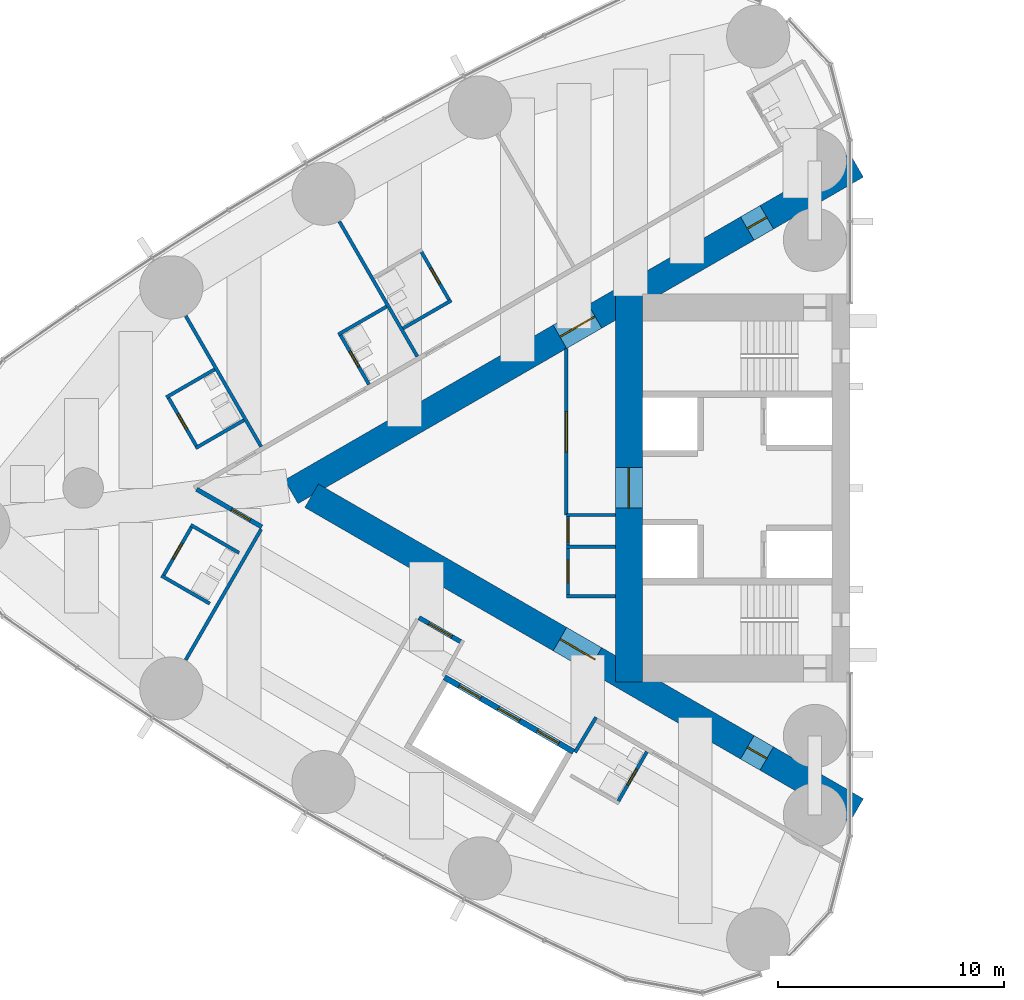
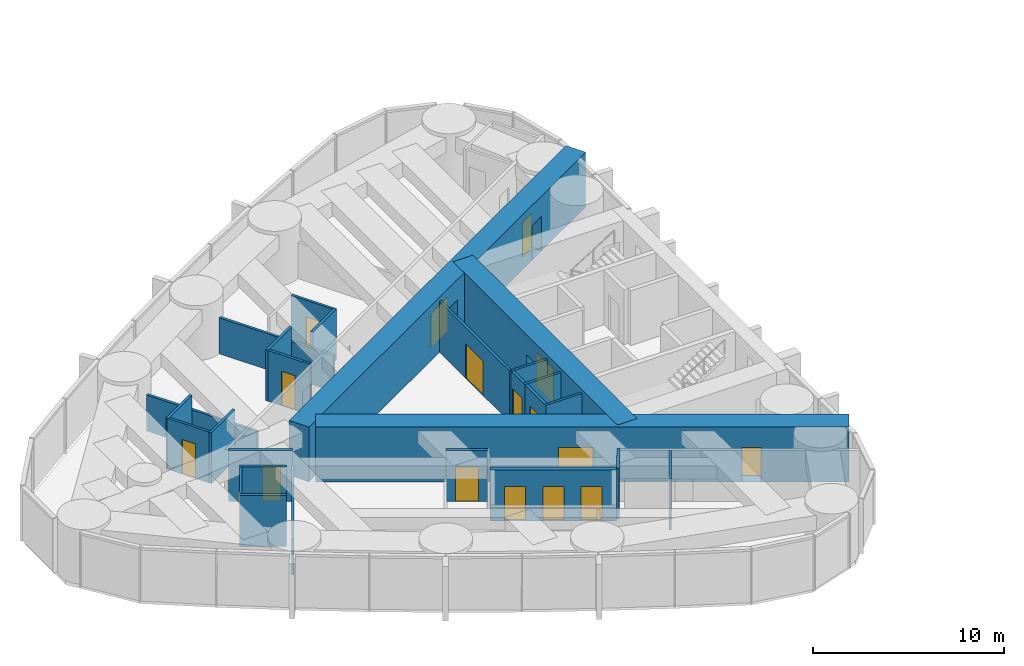
# One storey, part 12 of 19: 27 walls, 18 doors, 18 openings.
"""IFC4 building model written with IfcOpenShell, lengths in metres."""

from ifc_helpers import new_model, si_unit, direction, frame, frame_2d, origin, place, context, subcontext, project, spatial, rectangle, extrude, material, layer, layer_set, type_object, element, fill, save


model = new_model("IFC4")

# Units and contexts
model_context = context("Model", 3, precision=1e-05, world=origin(), true_north=direction((0.0, 1.0)))
body_context = subcontext(model_context, "Body", "Model", "MODEL_VIEW")
ifc_project = project(units=[si_unit("LENGTHUNIT", "METRE"), si_unit("AREAUNIT", "SQUARE_METRE"), si_unit("VOLUMEUNIT", "CUBIC_METRE"), si_unit("PLANEANGLEUNIT", "RADIAN"), si_unit("MASSUNIT", "GRAM", prefix="KILO")], contexts=[model_context])

# Site, building, storey
site_placement = place(None, origin())
site = spatial("IfcSite", under=ifc_project, at=site_placement, CompositionType="ELEMENT")
building_placement = place(site_placement, origin())
building = spatial("IfcBuilding", under=site, at=building_placement, Name="Lancet Gate Hotel", CompositionType="ELEMENT")
storey_placement = place(building_placement, frame((0.0, 0.0, 170.300048828125)))
storey = spatial("IfcBuildingStorey", under=building, at=storey_placement, Name="L45", CompositionType="ELEMENT", Elevation=170.300048828125)

# Wall, opening, door
ifc_material_1 = material(Name="Moisture resistant board partition")
ifc_layer_1 = layer(ifc_material_1, 0.14990234375)
ifc_layer_set_1 = layer_set([ifc_layer_1], Name="Bathroom wall 150")
wall_type_1 = type_object("IfcWallType", Name="Bathroom wall 150", PredefinedType="PARTITIONING", material=ifc_layer_set_1)
wall_1_placement = place(storey_placement, frame((-45.2353515625, 8.275146484375, 0.0), z_axis=(0.0, 0.0, 1.0), x_axis=(-0.500006934395, 0.866021400173, 0.0)))
wall_1 = element("IfcWall", 1, at=wall_1_placement, inside=storey, type_object=wall_type_1, Name="T1 bathroom wall 150 L45", PredefinedType="PARTITIONING", context=body_context, shape_type="SweptSolid", body=[
    extrude(rectangle(XDim=2.60009765625, YDim=0.14990234375, at=frame_2d((1.300048828125, 0.0))), origin(), (0.0, 0.0, 1.0), 3.25),
])
opening_1_placement = place(wall_1_placement, frame((0.89990234375, 0.0, 0.0)))
opening_1 = element("IfcOpeningElement", 2, at=opening_1_placement, cuts=wall_1, Name="Opening 4502-B", PredefinedType="OPENING", context=body_context, shape_type="SweptSolid", body=[
    extrude(rectangle(XDim=0.800048828125, YDim=2.199951171875, at=frame_2d((0.39990234375, 1.10009765625))), frame((0.0, 0.0849609375, 0.0), z_axis=(0.0, -1.0, 0.0), x_axis=(1.0, 0.0, 0.0)), (0.0, 0.0, 1.0), 0.169921875),
])
ifc_material_2 = material(Name="Timber door set", Category="wood")
door_type_1 = type_object("IfcDoorType", Name="Bathroom door 800", OperationType="SINGLE_SWING_RIGHT", PredefinedType="DOOR", material=ifc_material_2)
door_1_placement = place(opening_1_placement, origin())
door_1 = element("IfcDoor", 3, at=door_1_placement, inside=storey, type_object=door_type_1, Name="4502-B", OperationType="SINGLE_SWING_RIGHT", OverallHeight=2.199951171875, OverallWidth=0.800048828125, PredefinedType="DOOR", context=body_context, shape_type="SweptSolid", body=[
    extrude(rectangle(XDim=0.800048828125, YDim=2.199951171875, at=frame_2d((0.39990234375, 1.10009765625))), frame((0.0, 0.02490234375, 0.0), z_axis=(0.0, -1.0, 0.0), x_axis=(1.0, 0.0, 0.0)), (0.0, 0.0, 1.0), 0.050048828125),
])
fill(opening_1, door_1)

# Walls
for number, where, z_axis, x_axis, name in (
    (4, (-45.17041015625, 8.3125, 0.0), (0.0, 0.0, 1.0), (-0.866031185235, -0.4999899861, 0.0), "T1 bathroom wall 150 L45"),
    (5, (-48.043701171875, 8.039306640625, 0.0), (0.0, 0.0, 1.0), (-0.866031185235, -0.4999899861, 0.0), "T1 bathroom wall 150 L45"),
):
    element("IfcWall", number, at=place(storey_placement, frame(where, z_axis=z_axis, x_axis=x_axis)), inside=storey, type_object=wall_type_1, Name=name, PredefinedType="PARTITIONING", context=body_context, shape_type="SweptSolid", body=[
        extrude(rectangle(XDim=2.47509765625, YDim=0.14990234375, at=frame_2d((1.237548828125, 0.0))), origin(), (0.0, 0.0, 1.0), 3.25),
    ])

# Wall, opening, door
wall_2_placement = place(storey_placement, frame((-48.822265625, 4.587646484375, 0.0), z_axis=(0.0, 0.0, 1.0), x_axis=(-0.500006934395, 0.866021400173, 0.0)))
wall_2 = element("IfcWall", 6, at=wall_2_placement, inside=storey, type_object=wall_type_1, Name="T1 bathroom wall 150 L45", PredefinedType="PARTITIONING", context=body_context, shape_type="SweptSolid", body=[
    extrude(rectangle(XDim=2.60009765625, YDim=0.14990234375, at=frame_2d((1.300048828125, 0.0))), origin(), (0.0, 0.0, 1.0), 3.25),
])
opening_2_placement = place(wall_2_placement, frame((0.89990234375, 0.0, 0.0)))
opening_2 = element("IfcOpeningElement", 7, at=opening_2_placement, cuts=wall_2, Name="Opening 4503-B", PredefinedType="OPENING", context=body_context, shape_type="SweptSolid", body=[
    extrude(rectangle(XDim=0.800048828125, YDim=2.199951171875, at=frame_2d((0.39990234375, 1.10009765625))), frame((0.0, 0.0849609375, 0.0), z_axis=(0.0, -1.0, 0.0), x_axis=(1.0, 0.0, 0.0)), (0.0, 0.0, 1.0), 0.169921875),
])
door_2_placement = place(opening_2_placement, origin())
door_2 = element("IfcDoor", 8, at=door_2_placement, inside=storey, type_object=door_type_1, Name="4503-B", OperationType="SINGLE_SWING_RIGHT", OverallHeight=2.199951171875, OverallWidth=0.800048828125, PredefinedType="DOOR", context=body_context, shape_type="SweptSolid", body=[
    extrude(rectangle(XDim=0.800048828125, YDim=2.199951171875, at=frame_2d((0.39990234375, 1.10009765625))), frame((0.0, 0.02490234375, 0.0), z_axis=(0.0, -1.0, 0.0), x_axis=(1.0, 0.0, 0.0)), (0.0, 0.0, 1.0), 0.050048828125),
])
fill(opening_2, door_2)

# Wall
wall_3_placement = place(storey_placement, frame((-55.6669921875, 5.254638671875, 0.0), z_axis=(0.0, 0.0, 1.0), x_axis=(-0.866006523861, -0.500032699561, 0.0)))
element("IfcWall", 9, at=wall_3_placement, inside=storey, type_object=wall_type_1, Name="T1 bathroom wall 150 L45", PredefinedType="PARTITIONING", context=body_context, shape_type="SweptSolid", body=[
    extrude(rectangle(XDim=2.474853515625, YDim=0.14990234375, at=frame_2d((1.2373046875, 0.0))), origin(), (0.0, 0.0, 1.0), 3.25),
])

# Wall, opening, door
wall_4_placement = place(storey_placement, frame((-56.445556640625, 1.802978515625, 0.0), z_axis=(0.0, 0.0, 1.0), x_axis=(-0.499936506574, 0.866062058628, 0.0)))
wall_4 = element("IfcWall", 10, at=wall_4_placement, inside=storey, type_object=wall_type_1, Name="T1 bathroom wall 150 L45", PredefinedType="PARTITIONING", context=body_context, shape_type="SweptSolid", body=[
    extrude(rectangle(XDim=2.599853515625, YDim=0.14990234375, at=frame_2d((1.2998046875, 0.0))), origin(), (0.0, 0.0, 1.0), 3.25),
])
opening_3_placement = place(wall_4_placement, frame((0.89990234375, 0.0, 0.0)))
opening_3 = element("IfcOpeningElement", 11, at=opening_3_placement, cuts=wall_4, Name="Opening 4504-B", PredefinedType="OPENING", context=body_context, shape_type="SweptSolid", body=[
    extrude(rectangle(XDim=0.800048828125, YDim=2.199951171875, at=frame_2d((0.39990234375, 1.10009765625))), frame((0.0, 0.0849609375, 0.0), z_axis=(0.0, -1.0, 0.0), x_axis=(1.0, 0.0, 0.0)), (0.0, 0.0, 1.0), 0.169921875),
])
door_3_placement = place(opening_3_placement, origin())
door_3 = element("IfcDoor", 12, at=door_3_placement, inside=storey, type_object=door_type_1, Name="4504-B", OperationType="SINGLE_SWING_RIGHT", OverallHeight=2.199951171875, OverallWidth=0.800048828125, PredefinedType="DOOR", context=body_context, shape_type="SweptSolid", body=[
    extrude(rectangle(XDim=0.800048828125, YDim=2.199951171875, at=frame_2d((0.39990234375, 1.10009765625))), frame((0.0, 0.02490234375, 0.0), z_axis=(0.0, -1.0, 0.0), x_axis=(1.0, 0.0, 0.0)), (0.0, 0.0, 1.0), 0.050048828125),
])
fill(opening_3, door_3)

# Walls
wall_5_placement = place(storey_placement, frame((-54.366943359375, 3.0029296875, 0.0), z_axis=(0.0, 0.0, 1.0), x_axis=(-0.866031185235, -0.4999899861, 0.0)))
element("IfcWall", 13, at=wall_5_placement, inside=storey, type_object=wall_type_1, Name="T1 bathroom wall 150 L45", PredefinedType="PARTITIONING", context=body_context, shape_type="SweptSolid", body=[
    extrude(rectangle(XDim=2.47509765625, YDim=0.14990234375, at=frame_2d((1.237548828125, 0.0))), origin(), (0.0, 0.0, 1.0), 3.25),
])
wall_6_placement = place(storey_placement, frame((-55.883544921875, -5.129638671875, 0.0), z_axis=(0.0, 0.0, 1.0), x_axis=(-0.866006523861, 0.500032699561, 0.0)))
element("IfcWall", 14, at=wall_6_placement, inside=storey, type_object=wall_type_1, Name="T1 bathroom wall 150 L45", PredefinedType="PARTITIONING", context=body_context, shape_type="SweptSolid", body=[
    extrude(rectangle(XDim=2.474853515625, YDim=0.14990234375, at=frame_2d((1.2373046875, 0.0))), origin(), (0.0, 0.0, 1.0), 3.25),
])

# Wall, opening, door
wall_7_placement = place(storey_placement, frame((-56.661865234375, -1.677978515625, 0.0), z_axis=(0.0, 0.0, 1.0), x_axis=(-0.500006934395, -0.866021400173, 0.0)))
wall_7 = element("IfcWall", 15, at=wall_7_placement, inside=storey, type_object=wall_type_1, Name="T1 bathroom wall 150 L45", PredefinedType="PARTITIONING", context=body_context, shape_type="SweptSolid", body=[
    extrude(rectangle(XDim=2.60009765625, YDim=0.14990234375, at=frame_2d((1.300048828125, 0.0))), origin(), (0.0, 0.0, 1.0), 3.25),
])
opening_4_placement = place(wall_7_placement, frame((0.89990234375, 0.0, 0.0)))
opening_4 = element("IfcOpeningElement", 16, at=opening_4_placement, cuts=wall_7, Name="Opening 4505-B", PredefinedType="OPENING", context=body_context, shape_type="SweptSolid", body=[
    extrude(rectangle(XDim=0.800048828125, YDim=2.199951171875, at=frame_2d((0.39990234375, 1.10009765625))), frame((0.0, 0.0849609375, 0.0), z_axis=(0.0, -1.0, 0.0), x_axis=(1.0, 0.0, 0.0)), (0.0, 0.0, 1.0), 0.169921875),
])
door_4_placement = place(opening_4_placement, origin())
door_4 = element("IfcDoor", 17, at=door_4_placement, inside=storey, type_object=door_type_1, Name="4505-B", OperationType="SINGLE_SWING_RIGHT", OverallHeight=2.199951171875, OverallWidth=0.800048828125, PredefinedType="DOOR", context=body_context, shape_type="SweptSolid", body=[
    extrude(rectangle(XDim=0.800048828125, YDim=2.199951171875, at=frame_2d((0.39990234375, 1.10009765625))), frame((0.0, 0.02490234375, 0.0), z_axis=(0.0, -1.0, 0.0), x_axis=(1.0, 0.0, 0.0)), (0.0, 0.0, 1.0), 0.050048828125),
])
fill(opening_4, door_4)

# Wall
wall_8_placement = place(storey_placement, frame((-54.58349609375, -2.8779296875, 0.0), z_axis=(0.0, 0.0, 1.0), x_axis=(-0.866006523861, 0.500032699561, 0.0)))
element("IfcWall", 18, at=wall_8_placement, inside=storey, type_object=wall_type_1, Name="T1 bathroom wall 150 L45", PredefinedType="PARTITIONING", context=body_context, shape_type="SweptSolid", body=[
    extrude(rectangle(XDim=2.474853515625, YDim=0.14990234375, at=frame_2d((1.2373046875, 0.0))), origin(), (0.0, 0.0, 1.0), 3.25),
])

# Wall, opening, door
wall_9_placement = place(storey_placement, frame((-36.5029296875, -11.7001953125, 0.0), z_axis=(0.0, 0.0, 1.0), x_axis=(-0.500006934395, -0.866021400173, 0.0)))
wall_9 = element("IfcWall", 19, at=wall_9_placement, inside=storey, type_object=wall_type_1, Name="T1 bathroom wall 150 L45", PredefinedType="PARTITIONING", context=body_context, shape_type="SweptSolid", body=[
    extrude(rectangle(XDim=2.60009765625, YDim=0.14990234375, at=frame_2d((1.300048828125, 0.0))), origin(), (0.0, 0.0, 1.0), 3.25),
])
opening_5_placement = place(wall_9_placement, frame((0.89990234375, 0.0, 0.0)))
opening_5 = element("IfcOpeningElement", 20, at=opening_5_placement, cuts=wall_9, Name="Opening 4508-B", PredefinedType="OPENING", context=body_context, shape_type="SweptSolid", body=[
    extrude(rectangle(XDim=0.800048828125, YDim=2.199951171875, at=frame_2d((0.39990234375, 1.10009765625))), frame((0.0, 0.0849609375, 0.0), z_axis=(0.0, -1.0, 0.0), x_axis=(1.0, 0.0, 0.0)), (0.0, 0.0, 1.0), 0.169921875),
])
door_5_placement = place(opening_5_placement, origin())
door_5 = element("IfcDoor", 21, at=door_5_placement, inside=storey, type_object=door_type_1, Name="4508-B", OperationType="SINGLE_SWING_RIGHT", OverallHeight=2.199951171875, OverallWidth=0.800048828125, PredefinedType="DOOR", context=body_context, shape_type="SweptSolid", body=[
    extrude(rectangle(XDim=0.800048828125, YDim=2.199951171875, at=frame_2d((0.39990234375, 1.10009765625))), frame((0.0, 0.02490234375, 0.0), z_axis=(0.0, -1.0, 0.0), x_axis=(1.0, 0.0, 0.0)), (0.0, 0.0, 1.0), 0.050048828125),
])
fill(opening_5, door_5)

# Wall, openings, doors
ifc_material_3 = material(Name="Concrete C70/85", Category="concrete")
ifc_layer_2 = layer(ifc_material_3, 1.199951171875)
ifc_layer_set_2 = layer_set([ifc_layer_2], Name="Buttress wall 1200")
wall_type_2 = type_object("IfcWallType", Name="Buttress wall 1200", PredefinedType="SHEAR", material=ifc_layer_set_2)
wall_10_placement = place(storey_placement, frame((-27.199951171875, 14.300048828125, 0.0), z_axis=(0.0, 0.0, 1.0), x_axis=(-0.866026593062, -0.499997940104, 0.0)))
wall_10 = element("IfcWall", 22, at=wall_10_placement, inside=storey, type_object=wall_type_2, Name="T1 buttress wall S L45", PredefinedType="SHEAR", context=body_context, shape_type="SweptSolid", body=[
    extrude(rectangle(XDim=28.9462890625, YDim=1.199951171875, at=frame_2d((14.47314453125, 0.0))), origin(), (0.0, 0.0, 1.0), 3.5),
])
opening_6_placement = place(wall_10_placement, frame((4.60009765625, 0.0, 0.0)))
opening_6 = element("IfcOpeningElement", 23, at=opening_6_placement, cuts=wall_10, Name="Opening T1-L45-LS", PredefinedType="OPENING", context=body_context, shape_type="SweptSolid", body=[
    extrude(rectangle(XDim=1.0, YDim=2.199951171875, at=frame_2d((0.5, 1.10009765625))), frame((0.0, 0.60986328125, 0.0), z_axis=(0.0, -1.0, 0.0), x_axis=(1.0, 0.0, 0.0)), (0.0, 0.0, 1.0), 1.219970703125),
])
opening_7_placement = place(wall_10_placement, frame((13.39453125, 0.0, 0.0)))
opening_7 = element("IfcOpeningElement", 24, at=opening_7_placement, cuts=wall_10, Name="Opening T1-L45-LHS", PredefinedType="OPENING", context=body_context, shape_type="SweptSolid", body=[
    extrude(rectangle(XDim=1.800048828125, YDim=2.199951171875, at=frame_2d((0.89990234375, 1.10009765625))), frame((0.0, 0.60986328125, 0.0), z_axis=(0.0, -1.0, 0.0), x_axis=(1.0, 0.0, 0.0)), (0.0, 0.0, 1.0), 1.219970703125),
])
ifc_material_4 = material(Name="Timber door set", Category="wood")
door_type_2 = type_object("IfcDoorType", Name="Lobby double door 1800", OperationType="DOUBLE_DOOR_SINGLE_SWING", PredefinedType="DOOR", material=ifc_material_4)
door_6_placement = place(opening_7_placement, origin())
door_6 = element("IfcDoor", 25, at=door_6_placement, inside=storey, type_object=door_type_2, Name="T1-L45-LHS", OperationType="DOUBLE_DOOR_SINGLE_SWING", OverallHeight=2.199951171875, OverallWidth=1.800048828125, PredefinedType="DOOR", context=body_context, shape_type="SweptSolid", body=[
    extrude(rectangle(XDim=1.800048828125, YDim=2.199951171875, at=frame_2d((0.89990234375, 1.10009765625))), frame((0.0, 0.02490234375, 0.0), z_axis=(0.0, -1.0, 0.0), x_axis=(1.0, 0.0, 0.0)), (0.0, 0.0, 1.0), 0.050048828125),
])
fill(opening_7, door_6)
ifc_material_5 = material(Name="Timber door set", Category="wood")
door_type_3 = type_object("IfcDoorType", Name="Stair lobby door 1000", OperationType="SINGLE_SWING_LEFT", PredefinedType="DOOR", material=ifc_material_5)
door_7_placement = place(opening_6_placement, origin())
door_7 = element("IfcDoor", 26, at=door_7_placement, inside=storey, type_object=door_type_3, Name="T1-L45-LS", OperationType="SINGLE_SWING_LEFT", OverallHeight=2.199951171875, OverallWidth=1.0, PredefinedType="DOOR", context=body_context, shape_type="SweptSolid", body=[
    extrude(rectangle(XDim=1.0, YDim=2.199951171875, at=frame_2d((0.5, 1.10009765625))), frame((0.0, 0.02490234375, 0.0), z_axis=(0.0, -1.0, 0.0), x_axis=(1.0, 0.0, 0.0)), (0.0, 0.0, 1.0), 0.050048828125),
])
fill(opening_6, door_7)

wall_11_placement = place(storey_placement, frame((-27.199951171875, -14.300048828125, 0.0), z_axis=(0.0, 0.0, 1.0), x_axis=(-0.866024021859, 0.500002393557, 0.0)))
wall_11 = element("IfcWall", 27, at=wall_11_placement, inside=storey, type_object=wall_type_2, Name="T1 buttress wall N L45", PredefinedType="SHEAR", context=body_context, shape_type="SweptSolid", body=[
    extrude(rectangle(XDim=27.906982421875, YDim=1.199951171875, at=frame_2d((13.95361328125, 0.0))), origin(), (0.0, 0.0, 1.0), 3.5),
])
opening_8_placement = place(wall_11_placement, frame((4.60009765625, 0.0, 0.0)))
opening_8 = element("IfcOpeningElement", 28, at=opening_8_placement, cuts=wall_11, Name="Opening T1-L45-LN", PredefinedType="OPENING", context=body_context, shape_type="SweptSolid", body=[
    extrude(rectangle(XDim=1.0, YDim=2.199951171875, at=frame_2d((0.5, 1.10009765625))), frame((0.0, 0.60986328125, 0.0), z_axis=(0.0, -1.0, 0.0), x_axis=(1.0, 0.0, 0.0)), (0.0, 0.0, 1.0), 1.219970703125),
])
opening_9_placement = place(wall_11_placement, frame((13.39453125, 0.0, 0.0)))
opening_9 = element("IfcOpeningElement", 29, at=opening_9_placement, cuts=wall_11, Name="Opening T1-L45-LHN", PredefinedType="OPENING", context=body_context, shape_type="SweptSolid", body=[
    extrude(rectangle(XDim=1.800048828125, YDim=2.199951171875, at=frame_2d((0.89990234375, 1.10009765625))), frame((0.0, 0.60986328125, 0.0), z_axis=(0.0, -1.0, 0.0), x_axis=(1.0, 0.0, 0.0)), (0.0, 0.0, 1.0), 1.219970703125),
])
door_8_placement = place(opening_9_placement, origin())
door_8 = element("IfcDoor", 30, at=door_8_placement, inside=storey, type_object=door_type_2, Name="T1-L45-LHN", OperationType="DOUBLE_DOOR_SINGLE_SWING", OverallHeight=2.199951171875, OverallWidth=1.800048828125, PredefinedType="DOOR", context=body_context, shape_type="SweptSolid", body=[
    extrude(rectangle(XDim=1.800048828125, YDim=2.199951171875, at=frame_2d((0.89990234375, 1.10009765625))), frame((0.0, 0.02490234375, 0.0), z_axis=(0.0, -1.0, 0.0), x_axis=(1.0, 0.0, 0.0)), (0.0, 0.0, 1.0), 0.050048828125),
])
fill(opening_9, door_8)
door_9_placement = place(opening_8_placement, origin())
door_9 = element("IfcDoor", 31, at=door_9_placement, inside=storey, type_object=door_type_3, Name="T1-L45-LN", OperationType="SINGLE_SWING_LEFT", OverallHeight=2.199951171875, OverallWidth=1.0, PredefinedType="DOOR", context=body_context, shape_type="SweptSolid", body=[
    extrude(rectangle(XDim=1.0, YDim=2.199951171875, at=frame_2d((0.5, 1.10009765625))), frame((0.0, 0.02490234375, 0.0), z_axis=(0.0, -1.0, 0.0), x_axis=(1.0, 0.0, 0.0)), (0.0, 0.0, 1.0), 0.050048828125),
])
fill(opening_8, door_9)

# Wall, opening, door
ifc_material_6 = material(Name="Concrete C70/85", Category="concrete")
ifc_layer_3 = layer(ifc_material_6, 1.199951171875)
ifc_layer_set_3 = layer_set([ifc_layer_3], Name="Core wall 1200")
wall_type_3 = type_object("IfcWallType", Name="Core wall 1200", PredefinedType="SHEAR", material=ifc_layer_set_3)
wall_12_placement = place(storey_placement, frame((-37.300048828125, 8.60009765625, 0.0), z_axis=(0.0, 0.0, 1.0), x_axis=(0.0, -1.0, 0.0)))
wall_12 = element("IfcWall", 32, at=wall_12_placement, inside=storey, type_object=wall_type_3, Name="T1 core wall back L45", PredefinedType="SHEAR", context=body_context, shape_type="SweptSolid", body=[
    extrude(rectangle(XDim=17.2001953125, YDim=1.199951171875, at=frame_2d((8.60009765625, 0.0))), origin(), (0.0, 0.0, 1.0), 3.5),
])
opening_10_placement = place(wall_12_placement, frame((7.699951171875, 0.0, 0.0)))
opening_10 = element("IfcOpeningElement", 33, at=opening_10_placement, cuts=wall_12, Name="Opening T1-L45-LL", PredefinedType="OPENING", context=body_context, shape_type="SweptSolid", body=[
    extrude(rectangle(XDim=1.800048828125, YDim=2.199951171875, at=frame_2d((0.89990234375, 1.10009765625))), frame((0.0, 0.60986328125, 0.0), z_axis=(0.0, -1.0, 0.0), x_axis=(1.0, 0.0, 0.0)), (0.0, 0.0, 1.0), 1.219970703125),
])
door_10_placement = place(opening_10_placement, origin())
door_10 = element("IfcDoor", 34, at=door_10_placement, inside=storey, type_object=door_type_2, Name="T1-L45-LL", OperationType="DOUBLE_DOOR_SINGLE_SWING", OverallHeight=2.199951171875, OverallWidth=1.800048828125, PredefinedType="DOOR", context=body_context, shape_type="SweptSolid", body=[
    extrude(rectangle(XDim=1.800048828125, YDim=2.199951171875, at=frame_2d((0.89990234375, 1.10009765625))), frame((0.0, 0.02490234375, 0.0), z_axis=(0.0, -1.0, 0.0), x_axis=(1.0, 0.0, 0.0)), (0.0, 0.0, 1.0), 0.050048828125),
])
fill(opening_10, door_10)

ifc_material_7 = material(Name="Gypsum board partition")
ifc_layer_4 = layer(ifc_material_7, 0.199951171875)
ifc_layer_set_4 = layer_set([ifc_layer_4], Name="Corridor wall 200")
wall_type_4 = type_object("IfcWallType", Name="Corridor wall 200", PredefinedType="PARTITIONING", material=ifc_layer_set_4)
wall_13_placement = place(storey_placement, frame((-44.715087890625, -6.843505859375, 0.0), z_axis=(0.0, 0.0, 1.0), x_axis=(-0.865999496279, 0.500044870432, 0.0)))
wall_13 = element("IfcWall", 35, at=wall_13_placement, inside=storey, type_object=wall_type_4, Name="T1 corridor wall 200 L45", PredefinedType="PARTITIONING", context=body_context, shape_type="SweptSolid", body=[
    extrude(rectangle(XDim=2.184814453125, YDim=0.199951171875, at=frame_2d((1.09228515625, 0.0))), origin(), (0.0, 0.0, 1.0), 3.25),
])
opening_11_placement = place(wall_13_placement, frame((0.5, 0.0, 0.0)))
opening_11 = element("IfcOpeningElement", 36, at=opening_11_placement, cuts=wall_13, Name="Opening T1-L45-LO1", PredefinedType="OPENING", context=body_context, shape_type="SweptSolid", body=[
    extrude(rectangle(XDim=1.18505859375, YDim=2.199951171875, at=frame_2d((0.592529296875, 1.10009765625))), frame((0.0, 0.10986328125, 0.0), z_axis=(0.0, -1.0, 0.0), x_axis=(1.0, 0.0, 0.0)), (0.0, 0.0, 1.0), 0.219970703125),
])
ifc_material_8 = material(Name="Timber door set", Category="wood")
door_type_4 = type_object("IfcDoorType", Name="Guest room entry door 950", OperationType="SINGLE_SWING_LEFT", PredefinedType="DOOR", material=ifc_material_8)
door_11_placement = place(opening_11_placement, origin())
door_11 = element("IfcDoor", 37, at=door_11_placement, inside=storey, type_object=door_type_4, Name="T1-L45-LO1", OperationType="SINGLE_SWING_LEFT", OverallHeight=2.199951171875, OverallWidth=1.18505859375, PredefinedType="DOOR", context=body_context, shape_type="SweptSolid", body=[
    extrude(rectangle(XDim=1.18505859375, YDim=2.199951171875, at=frame_2d((0.592529296875, 1.10009765625))), frame((0.0, 0.02490234375, 0.0), z_axis=(0.0, -1.0, 0.0), x_axis=(1.0, 0.0, 0.0)), (0.0, 0.0, 1.0), 0.050048828125),
])
fill(opening_11, door_11)

wall_14_placement = place(storey_placement, frame((-53.57373046875, -1.72900390625, 0.0), z_axis=(0.0, 0.0, 1.0), x_axis=(-0.866019930389, 0.500009480079, 0.0)))
wall_14 = element("IfcWall", 38, at=wall_14_placement, inside=storey, type_object=wall_type_4, Name="T1 corridor wall 200 L45", PredefinedType="PARTITIONING", context=body_context, shape_type="SweptSolid", body=[
    extrude(rectangle(XDim=3.337890625, YDim=0.199951171875, at=frame_2d((1.6689453125, 0.0))), origin(), (0.0, 0.0, 1.0), 3.25),
])
opening_12_placement = place(wall_14_placement, frame((0.60009765625, 0.0, 0.0)))
opening_12 = element("IfcOpeningElement", 39, at=opening_12_placement, cuts=wall_14, Name="Opening 4505-E", PredefinedType="OPENING", context=body_context, shape_type="SweptSolid", body=[
    extrude(rectangle(XDim=0.949951171875, YDim=2.199951171875, at=frame_2d((0.47509765625, 1.10009765625))), frame((0.0, 0.10986328125, 0.0), z_axis=(0.0, -1.0, 0.0), x_axis=(1.0, 0.0, 0.0)), (0.0, 0.0, 1.0), 0.219970703125),
])
door_12_placement = place(opening_12_placement, origin())
door_12 = element("IfcDoor", 40, at=door_12_placement, inside=storey, type_object=door_type_4, Name="4505-E", OperationType="SINGLE_SWING_LEFT", OverallHeight=2.199951171875, OverallWidth=0.949951171875, PredefinedType="DOOR", context=body_context, shape_type="SweptSolid", body=[
    extrude(rectangle(XDim=0.949951171875, YDim=2.199951171875, at=frame_2d((0.47509765625, 1.10009765625))), frame((0.0, 0.02490234375, 0.0), z_axis=(0.0, -1.0, 0.0), x_axis=(1.0, 0.0, 0.0)), (0.0, 0.0, 1.0), 0.050048828125),
])
fill(opening_12, door_12)

# Wall, openings, doors
ifc_material_9 = material(Name="Gypsum board partition")
ifc_layer_5 = layer(ifc_material_9, 0.25)
ifc_layer_set_5 = layer_set([ifc_layer_5], Name="Lift shaft partition 250")
wall_type_5 = type_object("IfcWallType", Name="Lift shaft partition 250", PredefinedType="PARTITIONING", material=ifc_layer_set_5)
wall_15_placement = place(storey_placement, frame((-39.757568359375, -11.697265625, 0.0), z_axis=(0.0, 0.0, 1.0), x_axis=(-0.866024194504, 0.500002094529, 0.0)))
wall_15 = element("IfcWall", 41, at=wall_15_placement, inside=storey, type_object=wall_type_5, Name="T1 lift shaft wall HL L45", PredefinedType="PARTITIONING", context=body_context, shape_type="SweptSolid", body=[
    extrude(rectangle(XDim=6.60009765625, YDim=0.25, at=frame_2d((3.300048828125, 0.0))), origin(), (0.0, 0.0, 1.0), 3.25),
])
opening_13_placement = place(wall_15_placement, frame((0.75, 0.0, 0.0)))
opening_13 = element("IfcOpeningElement", 42, at=opening_13_placement, cuts=wall_15, Name="Opening T1-HL1-L45", PredefinedType="OPENING", context=body_context, shape_type="SweptSolid", body=[
    extrude(rectangle(XDim=1.10009765625, YDim=2.199951171875, at=frame_2d((0.550048828125, 1.10009765625))), frame((0.0, 0.135009765625, 0.0), z_axis=(0.0, -1.0, 0.0), x_axis=(1.0, 0.0, 0.0)), (0.0, 0.0, 1.0), 0.27001953125),
])
opening_14_placement = place(wall_15_placement, frame((2.75, 0.0, 0.0)))
opening_14 = element("IfcOpeningElement", 43, at=opening_14_placement, cuts=wall_15, Name="Opening T1-HL2-L45", PredefinedType="OPENING", context=body_context, shape_type="SweptSolid", body=[
    extrude(rectangle(XDim=1.10009765625, YDim=2.199951171875, at=frame_2d((0.550048828125, 1.10009765625))), frame((0.0, 0.135009765625, 0.0), z_axis=(0.0, -1.0, 0.0), x_axis=(1.0, 0.0, 0.0)), (0.0, 0.0, 1.0), 0.27001953125),
])
opening_15_placement = place(wall_15_placement, frame((4.75, 0.0, 0.0)))
opening_15 = element("IfcOpeningElement", 44, at=opening_15_placement, cuts=wall_15, Name="Opening T1-HL3-L45", PredefinedType="OPENING", context=body_context, shape_type="SweptSolid", body=[
    extrude(rectangle(XDim=1.10009765625, YDim=2.199951171875, at=frame_2d((0.550048828125, 1.10009765625))), frame((0.0, 0.135009765625, 0.0), z_axis=(0.0, -1.0, 0.0), x_axis=(1.0, 0.0, 0.0)), (0.0, 0.0, 1.0), 0.27001953125),
])
ifc_material_10 = material(Name="Steel door set", Category="steel")
door_type_5 = type_object("IfcDoorType", Name="Lift landing door 1100", OperationType="DOUBLE_DOOR_SLIDING", PredefinedType="USERDEFINED", material=ifc_material_10)
door_13_placement = place(opening_13_placement, origin())
door_13 = element("IfcDoor", 45, at=door_13_placement, inside=storey, type_object=door_type_5, Name="T1-HL1-L45", ObjectType="LIFT LANDING DOOR", OperationType="DOUBLE_DOOR_SLIDING", OverallHeight=2.199951171875, OverallWidth=1.10009765625, PredefinedType="USERDEFINED", context=body_context, shape_type="SweptSolid", body=[
    extrude(rectangle(XDim=1.10009765625, YDim=2.199951171875, at=frame_2d((0.550048828125, 1.10009765625))), frame((0.0, 0.02490234375, 0.0), z_axis=(0.0, -1.0, 0.0), x_axis=(1.0, 0.0, 0.0)), (0.0, 0.0, 1.0), 0.050048828125),
])
fill(opening_13, door_13)
door_14_placement = place(opening_14_placement, origin())
door_14 = element("IfcDoor", 46, at=door_14_placement, inside=storey, type_object=door_type_5, Name="T1-HL2-L45", ObjectType="LIFT LANDING DOOR", OperationType="DOUBLE_DOOR_SLIDING", OverallHeight=2.199951171875, OverallWidth=1.10009765625, PredefinedType="USERDEFINED", context=body_context, shape_type="SweptSolid", body=[
    extrude(rectangle(XDim=1.10009765625, YDim=2.199951171875, at=frame_2d((0.550048828125, 1.10009765625))), frame((0.0, 0.02490234375, 0.0), z_axis=(0.0, -1.0, 0.0), x_axis=(1.0, 0.0, 0.0)), (0.0, 0.0, 1.0), 0.050048828125),
])
fill(opening_14, door_14)
door_15_placement = place(opening_15_placement, origin())
door_15 = element("IfcDoor", 47, at=door_15_placement, inside=storey, type_object=door_type_5, Name="T1-HL3-L45", ObjectType="LIFT LANDING DOOR", OperationType="DOUBLE_DOOR_SLIDING", OverallHeight=2.199951171875, OverallWidth=1.10009765625, PredefinedType="USERDEFINED", context=body_context, shape_type="SweptSolid", body=[
    extrude(rectangle(XDim=1.10009765625, YDim=2.199951171875, at=frame_2d((0.550048828125, 1.10009765625))), frame((0.0, 0.02490234375, 0.0), z_axis=(0.0, -1.0, 0.0), x_axis=(1.0, 0.0, 0.0)), (0.0, 0.0, 1.0), 0.050048828125),
])
fill(opening_15, door_15)

# Walls
ifc_material_11 = material(Name="Gypsum board partition")
ifc_layer_6 = layer(ifc_material_11, 0.14990234375)
ifc_layer_set_6 = layer_set([ifc_layer_6], Name="Party wall 150")
wall_type_6 = type_object("IfcWallType", Name="Party wall 150", PredefinedType="PARTITIONING", material=ifc_layer_set_6)
wall_16_placement = place(storey_placement, frame((-46.6787109375, 5.8251953125, 0.0), z_axis=(0.0, 0.0, 1.0), x_axis=(-0.500006839597, 0.866021454905, 0.0)))
element("IfcWall", 48, at=wall_16_placement, inside=storey, type_object=wall_type_6, Name="T1 party wall 150 L45", PredefinedType="PARTITIONING", context=body_context, shape_type="SweptSolid", body=[
    extrude(rectangle(XDim=6.9111328125, YDim=0.14990234375, at=frame_2d((3.45556640625, 0.0))), origin(), (0.0, 0.0, 1.0), 2.300048828125),
])
for number, where, z_axis, x_axis, name in (
    (49, (-53.60205078125, 1.828125, 0.0), (0.0, 0.0, 1.0), (-0.49999191814, 0.866030069798, 0.0), "T1 party wall 150 L45"),
    (50, (-53.60205078125, -1.828125, 0.0), (0.0, 0.0, 1.0), (-0.49999191814, -0.866030069798, 0.0), "T1 party wall 150 L45"),
):
    element("IfcWall", number, at=place(storey_placement, frame(where, z_axis=z_axis, x_axis=x_axis)), inside=storey, type_object=wall_type_6, Name=name, PredefinedType="PARTITIONING", context=body_context, shape_type="SweptSolid", body=[
        extrude(rectangle(XDim=6.6923828125, YDim=0.14990234375, at=frame_2d((3.34619140625, 0.0))), origin(), (0.0, 0.0, 1.0), 2.300048828125),
    ])
ifc_material_12 = material(Name="Gypsum board partition")
ifc_layer_7 = layer(ifc_material_12, 0.14990234375)
ifc_layer_set_7 = layer_set([ifc_layer_7], Name="Service room wall 150")
wall_type_7 = type_object("IfcWallType", Name="Service room wall 150", PredefinedType="PARTITIONING", material=ifc_layer_set_7)
wall_17_placement = place(storey_placement, frame((-39.6826171875, -11.717529296875, 0.0), z_axis=(0.0, 0.0, 1.0), x_axis=(0.514336634837, 0.857588377991, 0.0)))
element("IfcWall", 51, at=wall_17_placement, inside=storey, type_object=wall_type_7, Name="T1 service room wall 150 L45", PredefinedType="PARTITIONING", context=body_context, shape_type="SweptSolid", body=[
    extrude(rectangle(XDim=1.80517578125, YDim=0.14990234375, at=frame_2d((0.902587890625, 0.0))), origin(), (0.0, 0.0, 1.0), 3.25),
])
for number, where, z_axis, x_axis, name in (
    (52, (-37.89990234375, -1.199951171875, 0.0), (0.0, 0.0, 1.0), (-1.0, 0.0, 0.0), "T1 service room wall 150 L45"),
    (53, (-37.89990234375, -2.60009765625, 0.0), (0.0, 0.0, 1.0), (-1.0, 0.0, 0.0), "T1 service room wall 150 L45"),
    (54, (-37.89990234375, -4.800048828125, 0.0), (0.0, 0.0, 1.0), (-1.0, 0.0, 0.0), "T1 service room wall 150 L45"),
):
    element("IfcWall", number, at=place(storey_placement, frame(where, z_axis=z_axis, x_axis=x_axis)), inside=storey, type_object=wall_type_7, Name=name, PredefinedType="PARTITIONING", context=body_context, shape_type="SweptSolid", body=[
        extrude(rectangle(XDim=2.175048828125, YDim=0.14990234375, at=frame_2d((1.08740234375, 0.0))), origin(), (0.0, 0.0, 1.0), 3.25),
    ])

# Wall, opening, door
wall_18_placement = place(storey_placement, frame((-40.0, -1.125, 0.0), z_axis=(0.0, 0.0, 1.0), x_axis=(0.0, -1.0, 0.0)))
wall_18 = element("IfcWall", 55, at=wall_18_placement, inside=storey, type_object=wall_type_7, Name="T1 service room wall 150 L45", PredefinedType="PARTITIONING", context=body_context, shape_type="SweptSolid", body=[
    extrude(rectangle(XDim=1.550048828125, YDim=0.14990234375, at=frame_2d((0.77490234375, 0.0))), origin(), (0.0, 0.0, 1.0), 3.25),
])
opening_16_placement = place(wall_18_placement, frame((0.27490234375, 0.0, 0.0)))
opening_16 = element("IfcOpeningElement", 56, at=opening_16_placement, cuts=wall_18, Name="Opening T1-L45-HRN0", PredefinedType="OPENING", context=body_context, shape_type="SweptSolid", body=[
    extrude(rectangle(XDim=1.0, YDim=2.199951171875, at=frame_2d((0.5, 1.10009765625))), frame((0.0, 0.0849609375, 0.0), z_axis=(0.0, -1.0, 0.0), x_axis=(1.0, 0.0, 0.0)), (0.0, 0.0, 1.0), 0.169921875),
])
ifc_material_13 = material(Name="Timber door set", Category="wood")
door_type_6 = type_object("IfcDoorType", Name="Service door 1000", OperationType="SINGLE_SWING_LEFT", PredefinedType="DOOR", material=ifc_material_13)
door_16_placement = place(opening_16_placement, origin())
door_16 = element("IfcDoor", 57, at=door_16_placement, inside=storey, type_object=door_type_6, Name="T1-L45-HRN0", OperationType="SINGLE_SWING_LEFT", OverallHeight=2.199951171875, OverallWidth=1.0, PredefinedType="DOOR", context=body_context, shape_type="SweptSolid", body=[
    extrude(rectangle(XDim=1.0, YDim=2.199951171875, at=frame_2d((0.5, 1.10009765625))), frame((0.0, 0.02490234375, 0.0), z_axis=(0.0, -1.0, 0.0), x_axis=(1.0, 0.0, 0.0)), (0.0, 0.0, 1.0), 0.050048828125),
])
fill(opening_16, door_16)

wall_19_placement = place(storey_placement, frame((-40.0, -2.52490234375, 0.0), z_axis=(0.0, 0.0, 1.0), x_axis=(0.0, -1.0, 0.0)))
wall_19 = element("IfcWall", 58, at=wall_19_placement, inside=storey, type_object=wall_type_7, Name="T1 service room wall 150 L45", PredefinedType="PARTITIONING", context=body_context, shape_type="SweptSolid", body=[
    extrude(rectangle(XDim=2.35009765625, YDim=0.14990234375, at=frame_2d((1.175048828125, 0.0))), origin(), (0.0, 0.0, 1.0), 3.25),
])
opening_17_placement = place(wall_19_placement, frame((0.675048828125, 0.0, 0.0)))
opening_17 = element("IfcOpeningElement", 59, at=opening_17_placement, cuts=wall_19, Name="Opening T1-L45-HRN1", PredefinedType="OPENING", context=body_context, shape_type="SweptSolid", body=[
    extrude(rectangle(XDim=1.0, YDim=2.199951171875, at=frame_2d((0.5, 1.10009765625))), frame((0.0, 0.0849609375, 0.0), z_axis=(0.0, -1.0, 0.0), x_axis=(1.0, 0.0, 0.0)), (0.0, 0.0, 1.0), 0.169921875),
])
door_17_placement = place(opening_17_placement, origin())
door_17 = element("IfcDoor", 60, at=door_17_placement, inside=storey, type_object=door_type_6, Name="T1-L45-HRN1", OperationType="SINGLE_SWING_LEFT", OverallHeight=2.199951171875, OverallWidth=1.0, PredefinedType="DOOR", context=body_context, shape_type="SweptSolid", body=[
    extrude(rectangle(XDim=1.0, YDim=2.199951171875, at=frame_2d((0.5, 1.10009765625))), frame((0.0, 0.02490234375, 0.0), z_axis=(0.0, -1.0, 0.0), x_axis=(1.0, 0.0, 0.0)), (0.0, 0.0, 1.0), 0.050048828125),
])
fill(opening_17, door_17)

wall_20_placement = place(storey_placement, frame((-40.074951171875, 6.173828125, 0.0), z_axis=(0.0, 0.0, 1.0), x_axis=(0.0, -1.0, 0.0)))
wall_20 = element("IfcWall", 61, at=wall_20_placement, inside=storey, type_object=wall_type_7, Name="T1 service room wall 150 L45", PredefinedType="PARTITIONING", context=body_context, shape_type="SweptSolid", body=[
    extrude(rectangle(XDim=7.373779296875, YDim=0.14990234375, at=frame_2d((3.68701171875, 0.0))), origin(), (0.0, 0.0, 1.0), 3.25),
])
opening_18_placement = place(wall_20_placement, frame((2.786865234375, 0.0, 0.0)))
opening_18 = element("IfcOpeningElement", 62, at=opening_18_placement, cuts=wall_20, Name="Opening T1-L45-LH", PredefinedType="OPENING", context=body_context, shape_type="SweptSolid", body=[
    extrude(rectangle(XDim=1.800048828125, YDim=2.199951171875, at=frame_2d((0.89990234375, 1.10009765625))), frame((0.0, 0.0849609375, 0.0), z_axis=(0.0, -1.0, 0.0), x_axis=(1.0, 0.0, 0.0)), (0.0, 0.0, 1.0), 0.169921875),
])
door_18_placement = place(opening_18_placement, origin())
door_18 = element("IfcDoor", 63, at=door_18_placement, inside=storey, type_object=door_type_2, Name="T1-L45-LH", OperationType="DOUBLE_DOOR_SINGLE_SWING", OverallHeight=2.199951171875, OverallWidth=1.800048828125, PredefinedType="DOOR", context=body_context, shape_type="SweptSolid", body=[
    extrude(rectangle(XDim=1.800048828125, YDim=2.199951171875, at=frame_2d((0.89990234375, 1.10009765625))), frame((0.0, 0.02490234375, 0.0), z_axis=(0.0, -1.0, 0.0), x_axis=(1.0, 0.0, 0.0)), (0.0, 0.0, 1.0), 0.050048828125),
])
fill(opening_18, door_18)

save(model, "model.ifc")
